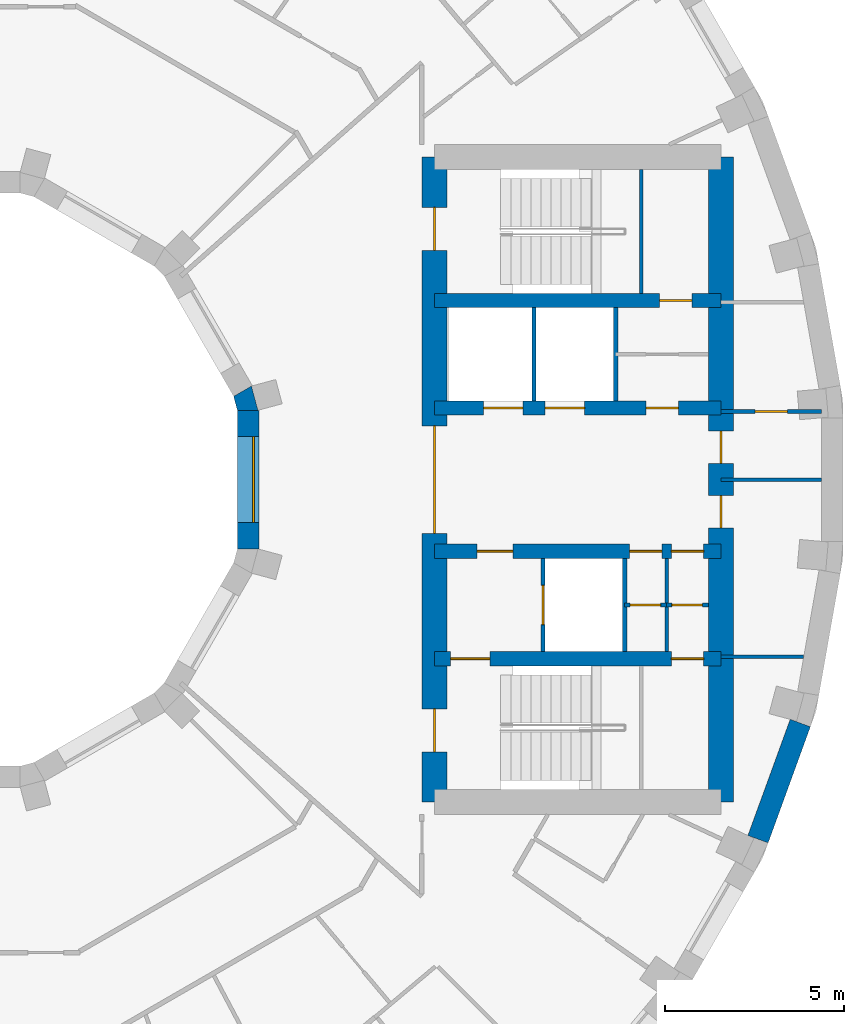
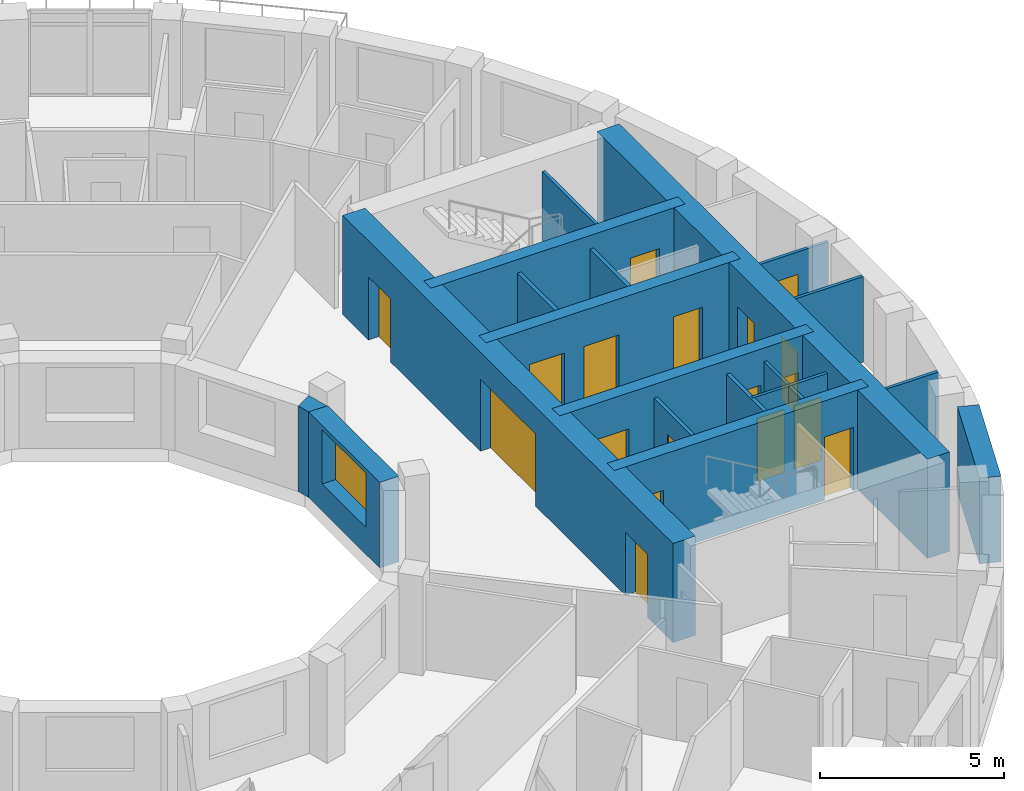
# One storey, part 8 of 13: 20 walls, 18 doors, 1 window, 19 openings.
"""IFC4 building model written with IfcOpenShell, lengths in metres."""

from ifc_helpers import new_model, si_unit, direction, frame, frame_2d, origin, place, context, subcontext, project, spatial, polyline, rectangle, outline, extrude, material, layer, layer_set, type_object, element, fill, save


model = new_model("IFC4")

# Units and contexts
model_context = context("Model", 3, precision=1e-05, world=origin(), true_north=direction((0.0, 1.0)))
body_context = subcontext(model_context, "Body", "Model", "MODEL_VIEW")
ifc_project = project(units=[si_unit("LENGTHUNIT", "METRE"), si_unit("AREAUNIT", "SQUARE_METRE"), si_unit("VOLUMEUNIT", "CUBIC_METRE"), si_unit("PLANEANGLEUNIT", "RADIAN"), si_unit("MASSUNIT", "GRAM", prefix="KILO")], contexts=[model_context])

# Site, building, storey
site_placement = place(None, origin())
site = spatial("IfcSite", under=ifc_project, at=site_placement, CompositionType="ELEMENT")
building_placement = place(site_placement, origin())
building = spatial("IfcBuilding", under=site, at=building_placement, Name="Saqina Gate Tower", CompositionType="ELEMENT")
storey_placement = place(building_placement, frame((0.0, 0.0, 203.699951171875)))
storey = spatial("IfcBuildingStorey", under=building, at=storey_placement, Name="L58", CompositionType="ELEMENT", Elevation=203.699951171875)

# Wall, opening, door
ifc_material_1 = material(Name="Gypsum board on steel studs", Category="steel")
ifc_layer_1 = layer(ifc_material_1, 0.10009765625)
ifc_layer_set_1 = layer_set([ifc_layer_1], Name="CORE PARTITION")
wall_type_1 = type_object("IfcWallType", Name="CORE PARTITION", PredefinedType="PARTITIONING", material=ifc_layer_set_1)
wall_1_placement = place(storey_placement, frame((21.5, 1.89990234375, 0.0), z_axis=(0.0, 0.0, 1.0), x_axis=(1.0, 0.0, 0.0)))
wall_1 = element("IfcWall", 1, at=wall_1_placement, inside=storey, type_object=wall_type_1, Name="L58-CP-E02", PredefinedType="PARTITIONING", context=body_context, shape_type="SweptSolid", body=[
    extrude(rectangle(XDim=2.804931640625, YDim=0.10009765625, at=frame_2d((1.40234375, 0.0))), origin(), (0.0, 0.0, 1.0), 2.85009765625),
])
opening_1_placement = place(wall_1_placement, frame((0.952392578125, 0.0, 0.0)))
opening_1 = element("IfcOpeningElement", 2, at=opening_1_placement, cuts=wall_1, Name="Opening G17-D94", PredefinedType="OPENING", context=body_context, shape_type="SweptSolid", body=[
    extrude(rectangle(XDim=0.89990234375, YDim=2.10009765625, at=frame_2d((0.449951171875, 1.050048828125))), frame((0.0, 0.06201171875, 0.0), z_axis=(0.0, -1.0, 0.0), x_axis=(1.0, 0.0, 0.0)), (0.0, 0.0, 1.0), 0.1240234375),
])
ifc_material_2 = material(Name="Steel-framed fire door leaf, EI 60", Category="steel")
door_type_1 = type_object("IfcDoorType", Name="SERVICE ROOM DOOR 900", OperationType="SINGLE_SWING_LEFT", PredefinedType="DOOR", material=ifc_material_2)
door_1_placement = place(opening_1_placement, origin())
door_1 = element("IfcDoor", 3, at=door_1_placement, inside=storey, type_object=door_type_1, Name="L58-CD-E05", OperationType="SINGLE_SWING_LEFT", OverallHeight=2.10009765625, OverallWidth=0.89990234375, PredefinedType="DOOR", context=body_context, shape_type="SweptSolid", body=[
    extrude(rectangle(XDim=0.89990234375, YDim=2.10009765625, at=frame_2d((0.449951171875, 1.050048828125))), frame((0.0, 0.02490234375, 0.0), z_axis=(0.0, -1.0, 0.0), x_axis=(1.0, 0.0, 0.0)), (0.0, 0.0, 1.0), 0.050048828125),
])
fill(opening_1, door_1)

# Walls
wall_2_placement = place(storey_placement, frame((21.5, -4.949951171875, 0.0), z_axis=(0.0, 0.0, 1.0), x_axis=(1.0, 0.0, 0.0)))
element("IfcWall", 4, at=wall_2_placement, inside=storey, type_object=wall_type_1, Name="L58-CP-E03", PredefinedType="PARTITIONING", context=body_context, shape_type="SweptSolid", body=[
    extrude(rectangle(XDim=2.306884765625, YDim=0.10009765625, at=frame_2d((1.1533203125, 0.0))), origin(), (0.0, 0.0, 1.0), 2.85009765625),
])
wall_3_placement = place(storey_placement, frame((21.5, 0.0, 0.0), z_axis=(0.0, 0.0, 1.0), x_axis=(1.0, 0.0, 0.0)))
element("IfcWall", 5, at=wall_3_placement, inside=storey, type_object=wall_type_1, Name="L58-CP-E04", PredefinedType="PARTITIONING", context=body_context, shape_type="SweptSolid", body=[
    extrude(rectangle(XDim=2.804931640625, YDim=0.10009765625, at=frame_2d((1.40234375, 0.0))), origin(), (0.0, 0.0, 1.0), 2.85009765625),
])
wall_4_placement = place(storey_placement, frame((19.97998046875, -4.800048828125, 0.0), z_axis=(0.0, 0.0, 1.0), x_axis=(0.0, 1.0, 0.0)))
element("IfcWall", 6, at=wall_4_placement, inside=storey, type_object=wall_type_1, Name="L58-CP-E09", PredefinedType="PARTITIONING", context=body_context, shape_type="SweptSolid", body=[
    extrude(rectangle(XDim=2.60009765625, YDim=0.10009765625, at=frame_2d((1.300048828125, 0.0))), origin(), (0.0, 0.0, 1.0), 2.85009765625),
])

# Wall, opening, door
wall_5_placement = place(storey_placement, frame((18.81005859375, -3.5, 0.0), z_axis=(0.0, 0.0, 1.0), x_axis=(1.0, 0.0, 0.0)))
wall_5 = element("IfcWall", 7, at=wall_5_placement, inside=storey, type_object=wall_type_1, Name="L58-CP-E11", PredefinedType="PARTITIONING", context=body_context, shape_type="SweptSolid", body=[
    extrude(rectangle(XDim=1.169921875, YDim=0.10009765625, at=frame_2d((0.5849609375, 0.0))), origin(), (0.0, 0.0, 1.0), 2.85009765625),
])
opening_2_placement = place(wall_5_placement, frame((0.14990234375, 0.0, 0.0)))
opening_2 = element("IfcOpeningElement", 8, at=opening_2_placement, cuts=wall_5, Name="Opening G17-D99", PredefinedType="OPENING", context=body_context, shape_type="SweptSolid", body=[
    extrude(rectangle(XDim=0.85009765625, YDim=2.10009765625, at=frame_2d((0.425048828125, 1.050048828125))), frame((0.0, 0.06201171875, 0.0), z_axis=(0.0, -1.0, 0.0), x_axis=(1.0, 0.0, 0.0)), (0.0, 0.0, 1.0), 0.1240234375),
])
ifc_material_3 = material(Name="Steel-framed fire door leaf, EI 60", Category="steel")
door_type_2 = type_object("IfcDoorType", Name="SERVICE ROOM DOOR 850", OperationType="SINGLE_SWING_LEFT", PredefinedType="DOOR", material=ifc_material_3)
door_2_placement = place(opening_2_placement, frame((0.85009765625, 0.0, 0.0), z_axis=(0.0, 0.0, 1.0), x_axis=(-1.0, 0.0, 0.0)))
door_2 = element("IfcDoor", 9, at=door_2_placement, inside=storey, type_object=door_type_2, Name="L58-CD-E10", OperationType="SINGLE_SWING_RIGHT", OverallHeight=2.10009765625, OverallWidth=0.85009765625, PredefinedType="DOOR", context=body_context, shape_type="SweptSolid", body=[
    extrude(rectangle(XDim=0.85009765625, YDim=2.10009765625, at=frame_2d((0.425048828125, 1.050048828125))), frame((0.0, 0.02490234375, 0.0), z_axis=(0.0, -1.0, 0.0), x_axis=(1.0, 0.0, 0.0)), (0.0, 0.0, 1.0), 0.050048828125),
])
fill(opening_2, door_2)

wall_6_placement = place(storey_placement, frame((19.97998046875, -3.5, 0.0), z_axis=(0.0, 0.0, 1.0), x_axis=(1.0, 0.0, 0.0)))
wall_6 = element("IfcWall", 10, at=wall_6_placement, inside=storey, type_object=wall_type_1, Name="L58-CP-E12", PredefinedType="PARTITIONING", context=body_context, shape_type="SweptSolid", body=[
    extrude(rectangle(XDim=1.169921875, YDim=0.10009765625, at=frame_2d((0.5849609375, 0.0))), origin(), (0.0, 0.0, 1.0), 2.85009765625),
])
opening_3_placement = place(wall_6_placement, frame((0.14990234375, 0.0, 0.0)))
opening_3 = element("IfcOpeningElement", 11, at=opening_3_placement, cuts=wall_6, Name="Opening G17-D100", PredefinedType="OPENING", context=body_context, shape_type="SweptSolid", body=[
    extrude(rectangle(XDim=0.85009765625, YDim=2.10009765625, at=frame_2d((0.425048828125, 1.050048828125))), frame((0.0, 0.06201171875, 0.0), z_axis=(0.0, -1.0, 0.0), x_axis=(1.0, 0.0, 0.0)), (0.0, 0.0, 1.0), 0.1240234375),
])
door_3_placement = place(opening_3_placement, frame((0.85009765625, 0.0, 0.0), z_axis=(0.0, 0.0, 1.0), x_axis=(-1.0, 0.0, 0.0)))
door_3 = element("IfcDoor", 12, at=door_3_placement, inside=storey, type_object=door_type_2, Name="L58-CD-E11", OperationType="SINGLE_SWING_LEFT", OverallHeight=2.10009765625, OverallWidth=0.85009765625, PredefinedType="DOOR", context=body_context, shape_type="SweptSolid", body=[
    extrude(rectangle(XDim=0.85009765625, YDim=2.10009765625, at=frame_2d((0.425048828125, 1.050048828125))), frame((0.0, 0.02490234375, 0.0), z_axis=(0.0, -1.0, 0.0), x_axis=(1.0, 0.0, 0.0)), (0.0, 0.0, 1.0), 0.050048828125),
])
fill(opening_3, door_3)

# Wall
ifc_material_4 = material(Name="Glazed ceramic tile (white)", Category="ceramic")
ifc_layer_2 = layer(ifc_material_4, 0.60009765625)
ifc_layer_set_2 = layer_set([ifc_layer_2], Name="FW-TILE-WH")
wall_type_2 = type_object("IfcWallType", Name="FW-TILE-WH", PredefinedType="SOLIDWALL", material=ifc_layer_set_2)
wall_7_placement = place(storey_placement, frame((22.531005859375, -10.0361328125, 0.0), z_axis=(0.0, 0.0, 1.0), x_axis=(0.342032843455, 0.93968799822, 0.0)))
element("IfcWall", 13, at=wall_7_placement, inside=storey, type_object=wall_type_2, Name="Facade wall L58 facet 34", PredefinedType="SOLIDWALL", context=body_context, shape_type="SweptSolid", body=[
    extrude(rectangle(XDim=3.44970703125, YDim=0.60009765625, at=frame_2d((1.724853515625, 0.0))), origin(), (0.0, 0.0, 1.0), 2.85009765625),
])

# Wall, opening, window
ifc_material_5 = material(Name="Glazed ceramic tile", Category="ceramic")
ifc_layer_3 = layer(ifc_material_5, 0.60009765625)
ifc_layer_set_3 = layer_set([ifc_layer_3], Name="IW-TILE")
wall_type_3 = type_object("IfcWallType", Name="IW-TILE", PredefinedType="SOLIDWALL", material=ifc_layer_set_3)
wall_8_placement = place(storey_placement, frame((8.300048828125, -1.934814453125, 0.0), z_axis=(0.0, 0.0, 1.0), x_axis=(0.0, 1.0, 0.0)))
wall_8 = element("IfcWall", 14, at=wall_8_placement, inside=storey, type_object=wall_type_3, Name="Well wall L58 facet 12", PredefinedType="SOLIDWALL", context=body_context, shape_type="SweptSolid", body=[
    extrude(rectangle(XDim=3.86962890625, YDim=0.60009765625, at=frame_2d((1.934814453125, 0.0))), origin(), (0.0, 0.0, 1.0), 2.85009765625),
])
opening_4_placement = place(wall_8_placement, frame((0.73486328125, 0.0, 0.89990234375)))
opening_4 = element("IfcOpeningElement", 15, at=opening_4_placement, cuts=wall_8, Name="Opening G17-W34", PredefinedType="OPENING", context=body_context, shape_type="SweptSolid", body=[
    extrude(rectangle(XDim=2.39990234375, YDim=1.800048828125, at=frame_2d((1.199951171875, 0.89990234375))), frame((0.0, 0.31201171875, 0.0), z_axis=(0.0, -1.0, 0.0), x_axis=(1.0, 0.0, 0.0)), (0.0, 0.0, 1.0), 0.6240234375),
])
ifc_material_6 = material(Name="Aluminium glazing", Category="aluminium")
window_type = type_object("IfcWindowType", Name="WN-W", PartitioningType="SINGLE_PANEL", PredefinedType="WINDOW", material=ifc_material_6)
window_placement = place(opening_4_placement, origin())
window = element("IfcWindow", 16, at=window_placement, inside=storey, type_object=window_type, Name="Well window L58 facet 12", OverallHeight=1.800048828125, OverallWidth=2.39990234375, PartitioningType="SINGLE_PANEL", PredefinedType="WINDOW", context=body_context, shape_type="SweptSolid", body=[
    extrude(rectangle(XDim=2.39990234375, YDim=1.800048828125, at=frame_2d((1.199951171875, 0.89990234375))), frame((0.0, -0.119873046875, 0.0), z_axis=(0.0, -1.0, 0.0), x_axis=(1.0, 0.0, 0.0)), (0.0, 0.0, 1.0), 0.06005859375),
])
fill(opening_4, window)

# Walls
ifc_material_7 = material(Name="Autoclaved aerated concrete block", Category="concrete")
ifc_layer_4 = layer(ifc_material_7, 0.1201171875)
ifc_layer_set_4 = layer_set([ifc_layer_4], Name="SHAFT PARTITION")
wall_type_4 = type_object("IfcWallType", Name="SHAFT PARTITION", PredefinedType="PARTITIONING", material=ifc_layer_set_4)
for number, where, z_axis, x_axis, name in (
    (17, (16.280029296875, 2.199951171875, 0.0), (0.0, 0.0, 1.0), (0.0, 1.0, 0.0), "L58-CP-E05"),
    (18, (18.56005859375, 2.199951171875, 0.0), (0.0, 0.0, 1.0), (0.0, 1.0, 0.0), "L58-CP-E06"),
):
    element("IfcWall", number, at=place(storey_placement, frame(where, z_axis=z_axis, x_axis=x_axis)), inside=storey, type_object=wall_type_4, Name=name, PredefinedType="PARTITIONING", context=body_context, shape_type="SweptSolid", body=[
        extrude(rectangle(XDim=2.60009765625, YDim=0.1201171875, at=frame_2d((1.300048828125, 0.0))), origin(), (0.0, 0.0, 1.0), 2.85009765625),
    ])

# Wall, opening, door
wall_9_placement = place(storey_placement, frame((16.530029296875, -4.800048828125, 0.0), z_axis=(0.0, 0.0, 1.0), x_axis=(0.0, 1.0, 0.0)))
wall_9 = element("IfcWall", 19, at=wall_9_placement, inside=storey, type_object=wall_type_4, Name="L58-CP-E07", PredefinedType="PARTITIONING", context=body_context, shape_type="SweptSolid", body=[
    extrude(rectangle(XDim=2.60009765625, YDim=0.1201171875, at=frame_2d((1.300048828125, 0.0))), origin(), (0.0, 0.0, 1.0), 2.85009765625),
])
opening_5_placement = place(wall_9_placement, frame((0.75, 0.0, 0.0)))
opening_5 = element("IfcOpeningElement", 20, at=opening_5_placement, cuts=wall_9, Name="Opening G17-LD3", PredefinedType="OPENING", context=body_context, shape_type="SweptSolid", body=[
    extrude(rectangle(XDim=1.10009765625, YDim=2.10009765625, at=frame_2d((0.550048828125, 1.050048828125))), frame((0.0, 0.072021484375, 0.0), z_axis=(0.0, -1.0, 0.0), x_axis=(1.0, 0.0, 0.0)), (0.0, 0.0, 1.0), 0.14404296875),
])
ifc_material_8 = material(Name="Stainless steel", Category="steel")
door_type_3 = type_object("IfcDoorType", Name="LANDING DOOR", OperationType="DOUBLE_DOOR_SLIDING", PredefinedType="DOOR", material=ifc_material_8)
door_4_placement = place(opening_5_placement, origin())
door_4 = element("IfcDoor", 21, at=door_4_placement, inside=storey, type_object=door_type_3, Name="LANDING DOOR FF1", OperationType="DOUBLE_DOOR_SLIDING", OverallHeight=2.10009765625, OverallWidth=1.10009765625, PredefinedType="DOOR", context=body_context, shape_type="SweptSolid", body=[
    extrude(rectangle(XDim=1.10009765625, YDim=2.10009765625, at=frame_2d((0.550048828125, 1.050048828125))), frame((0.0, 0.02490234375, 0.0), z_axis=(0.0, -1.0, 0.0), x_axis=(1.0, 0.0, 0.0)), (0.0, 0.0, 1.0), 0.050048828125),
])
fill(opening_5, door_4)

# Walls
wall_10_placement = place(storey_placement, frame((18.81005859375, -4.800048828125, 0.0), z_axis=(0.0, 0.0, 1.0), x_axis=(0.0, 1.0, 0.0)))
element("IfcWall", 22, at=wall_10_placement, inside=storey, type_object=wall_type_4, Name="L58-CP-E08", PredefinedType="PARTITIONING", context=body_context, shape_type="SweptSolid", body=[
    extrude(rectangle(XDim=2.60009765625, YDim=0.1201171875, at=frame_2d((1.300048828125, 0.0))), origin(), (0.0, 0.0, 1.0), 2.85009765625),
])
ifc_material_9 = material(Name="Autoclaved aerated concrete block", Category="concrete")
ifc_layer_5 = layer(ifc_material_9, 0.10009765625)
ifc_layer_set_5 = layer_set([ifc_layer_5], Name="STAIR ENCLOSURE WALL")
wall_type_5 = type_object("IfcWallType", Name="STAIR ENCLOSURE WALL", PredefinedType="PARTITIONING", material=ifc_layer_set_5)
wall_11_placement = place(storey_placement, frame((19.27001953125, 5.199951171875, 0.0), z_axis=(0.0, 0.0, 1.0), x_axis=(0.0, 1.0, 0.0)))
element("IfcWall", 23, at=wall_11_placement, inside=storey, type_object=wall_type_5, Name="L58-CP-E13", PredefinedType="PARTITIONING", context=body_context, shape_type="SweptSolid", body=[
    extrude(rectangle(XDim=3.449951171875, YDim=0.10009765625, at=frame_2d((1.72509765625, 0.0))), origin(), (0.0, 0.0, 1.0), 2.85009765625),
])

# Wall, opening, door
ifc_material_10 = material(Name="Concrete C60/75", Category="concrete")
ifc_layer_6 = layer(ifc_material_10, 0.39990234375)
ifc_layer_set_6 = layer_set([ifc_layer_6], Name="Concrete C60/75")
wall_type_6 = type_object("IfcWallType", Name="STR-CORE WALL-C-I", PredefinedType="SHEAR", material=ifc_layer_set_6)
wall_12_placement = place(storey_placement, frame((13.5, 5.0, 0.0), z_axis=(0.0, 0.0, 1.0), x_axis=(1.0, 0.0, 0.0)))
wall_12 = element("IfcWall", 24, at=wall_12_placement, inside=storey, type_object=wall_type_6, Name="CORE WALL L58 E-X1", PredefinedType="SHEAR", context=body_context, shape_type="SweptSolid", body=[
    extrude(rectangle(XDim=8.0, YDim=0.39990234375, at=frame_2d((4.0, 0.0))), origin(), (0.0, 0.0, 1.0), 3.300048828125),
])
opening_6_placement = place(wall_12_placement, frame((6.284912109375, 0.0, 0.0)))
opening_6 = element("IfcOpeningElement", 25, at=opening_6_placement, cuts=wall_12, Name="Opening G17-D98", PredefinedType="OPENING", context=body_context, shape_type="SweptSolid", body=[
    extrude(rectangle(XDim=0.89990234375, YDim=2.10009765625, at=frame_2d((0.449951171875, 1.050048828125))), frame((0.0, 0.2119140625, 0.0), z_axis=(0.0, -1.0, 0.0), x_axis=(1.0, 0.0, 0.0)), (0.0, 0.0, 1.0), 0.423828125),
])
door_5_placement = place(opening_6_placement, origin())
door_5 = element("IfcDoor", 26, at=door_5_placement, inside=storey, type_object=door_type_1, Name="L58-CD-E09", OperationType="SINGLE_SWING_RIGHT", OverallHeight=2.10009765625, OverallWidth=0.89990234375, PredefinedType="DOOR", context=body_context, shape_type="SweptSolid", body=[
    extrude(rectangle(XDim=0.89990234375, YDim=2.10009765625, at=frame_2d((0.449951171875, 1.050048828125))), frame((0.0, 0.02490234375, 0.0), z_axis=(0.0, -1.0, 0.0), x_axis=(1.0, 0.0, 0.0)), (0.0, 0.0, 1.0), 0.050048828125),
])
fill(opening_6, door_5)

# Wall, openings, doors
wall_13_placement = place(storey_placement, frame((13.5, -5.0, 0.0), z_axis=(0.0, 0.0, 1.0), x_axis=(1.0, 0.0, 0.0)))
wall_13 = element("IfcWall", 27, at=wall_13_placement, inside=storey, type_object=wall_type_6, Name="CORE WALL L58 E-X2", PredefinedType="SHEAR", context=body_context, shape_type="SweptSolid", body=[
    extrude(rectangle(XDim=8.0, YDim=0.39990234375, at=frame_2d((4.0, 0.0))), origin(), (0.0, 0.0, 1.0), 3.300048828125),
])
opening_7_placement = place(wall_13_placement, frame((6.614990234375, 0.0, 0.0)))
opening_7 = element("IfcOpeningElement", 28, at=opening_7_placement, cuts=wall_13, Name="Opening G17-D101", PredefinedType="OPENING", context=body_context, shape_type="SweptSolid", body=[
    extrude(rectangle(XDim=0.89990234375, YDim=2.10009765625, at=frame_2d((0.449951171875, 1.050048828125))), frame((0.0, 0.2119140625, 0.0), z_axis=(0.0, -1.0, 0.0), x_axis=(1.0, 0.0, 0.0)), (0.0, 0.0, 1.0), 0.423828125),
])
opening_8_placement = place(wall_13_placement, frame((0.449951171875, 0.0, 0.0)))
opening_8 = element("IfcOpeningElement", 29, at=opening_8_placement, cuts=wall_13, Name="Opening G17-D102", PredefinedType="OPENING", context=body_context, shape_type="SweptSolid", body=[
    extrude(rectangle(XDim=1.10009765625, YDim=2.10009765625, at=frame_2d((0.550048828125, 1.050048828125))), frame((0.0, 0.2119140625, 0.0), z_axis=(0.0, -1.0, 0.0), x_axis=(1.0, 0.0, 0.0)), (0.0, 0.0, 1.0), 0.423828125),
])
ifc_material_11 = material(Name="Steel", Category="steel")
door_type_4 = type_object("IfcDoorType", Name="FIRE LOBBY DOOR EI 60 WIDE", OperationType="SINGLE_SWING_LEFT", PredefinedType="DOOR", material=ifc_material_11)
door_6_placement = place(opening_8_placement, frame((1.10009765625, 0.0, 0.0), z_axis=(0.0, 0.0, 1.0), x_axis=(-1.0, 0.0, 0.0)))
door_6 = element("IfcDoor", 30, at=door_6_placement, inside=storey, type_object=door_type_4, Name="L58-CD-E13", OperationType="SINGLE_SWING_RIGHT", OverallHeight=2.10009765625, OverallWidth=1.10009765625, PredefinedType="DOOR", context=body_context, shape_type="SweptSolid", body=[
    extrude(rectangle(XDim=1.10009765625, YDim=2.10009765625, at=frame_2d((0.550048828125, 1.050048828125))), frame((0.0, 0.02490234375, 0.0), z_axis=(0.0, -1.0, 0.0), x_axis=(1.0, 0.0, 0.0)), (0.0, 0.0, 1.0), 0.050048828125),
])
fill(opening_8, door_6)
door_7_placement = place(opening_7_placement, frame((0.89990234375, 0.0, 0.0), z_axis=(0.0, 0.0, 1.0), x_axis=(-1.0, 0.0, 0.0)))
door_7 = element("IfcDoor", 31, at=door_7_placement, inside=storey, type_object=door_type_1, Name="L58-CD-E12", OperationType="SINGLE_SWING_LEFT", OverallHeight=2.10009765625, OverallWidth=0.89990234375, PredefinedType="DOOR", context=body_context, shape_type="SweptSolid", body=[
    extrude(rectangle(XDim=0.89990234375, YDim=2.10009765625, at=frame_2d((0.449951171875, 1.050048828125))), frame((0.0, 0.02490234375, 0.0), z_axis=(0.0, -1.0, 0.0), x_axis=(1.0, 0.0, 0.0)), (0.0, 0.0, 1.0), 0.050048828125),
])
fill(opening_7, door_7)

wall_14_placement = place(storey_placement, frame((13.5, 2.0, 0.0), z_axis=(0.0, 0.0, 1.0), x_axis=(1.0, 0.0, 0.0)))
wall_14 = element("IfcWall", 32, at=wall_14_placement, inside=storey, type_object=wall_type_6, Name="CORE WALL L58 E-L1", PredefinedType="SHEAR", context=body_context, shape_type="SweptSolid", body=[
    extrude(rectangle(XDim=8.0, YDim=0.39990234375, at=frame_2d((4.0, 0.0))), origin(), (0.0, 0.0, 1.0), 3.300048828125),
])
opening_9_placement = place(wall_14_placement, frame((1.3701171875, 0.0, 0.0)))
opening_9 = element("IfcOpeningElement", 33, at=opening_9_placement, cuts=wall_14, Name="Opening G17-LD1", PredefinedType="OPENING", context=body_context, shape_type="SweptSolid", body=[
    extrude(rectangle(XDim=1.10009765625, YDim=2.10009765625, at=frame_2d((0.550048828125, 1.050048828125))), frame((0.0, 0.2119140625, 0.0), z_axis=(0.0, -1.0, 0.0), x_axis=(1.0, 0.0, 0.0)), (0.0, 0.0, 1.0), 0.423828125),
])
opening_10_placement = place(wall_14_placement, frame((3.090087890625, 0.0, 0.0)))
opening_10 = element("IfcOpeningElement", 34, at=opening_10_placement, cuts=wall_14, Name="Opening G17-LD2", PredefinedType="OPENING", context=body_context, shape_type="SweptSolid", body=[
    extrude(rectangle(XDim=1.10009765625, YDim=2.10009765625, at=frame_2d((0.550048828125, 1.050048828125))), frame((0.0, 0.2119140625, 0.0), z_axis=(0.0, -1.0, 0.0), x_axis=(1.0, 0.0, 0.0)), (0.0, 0.0, 1.0), 0.423828125),
])
opening_11_placement = place(wall_14_placement, frame((5.905029296875, 0.0, 0.0)))
opening_11 = element("IfcOpeningElement", 35, at=opening_11_placement, cuts=wall_14, Name="Opening G17-D90", PredefinedType="OPENING", context=body_context, shape_type="SweptSolid", body=[
    extrude(rectangle(XDim=0.89990234375, YDim=2.10009765625, at=frame_2d((0.449951171875, 1.050048828125))), frame((0.0, 0.2119140625, 0.0), z_axis=(0.0, -1.0, 0.0), x_axis=(1.0, 0.0, 0.0)), (0.0, 0.0, 1.0), 0.423828125),
])
door_8_placement = place(opening_9_placement, origin())
door_8 = element("IfcDoor", 36, at=door_8_placement, inside=storey, type_object=door_type_3, Name="LANDING DOOR HR1", OperationType="DOUBLE_DOOR_SLIDING", OverallHeight=2.10009765625, OverallWidth=1.10009765625, PredefinedType="DOOR", context=body_context, shape_type="SweptSolid", body=[
    extrude(rectangle(XDim=1.10009765625, YDim=2.10009765625, at=frame_2d((0.550048828125, 1.050048828125))), frame((0.0, 0.02490234375, 0.0), z_axis=(0.0, -1.0, 0.0), x_axis=(1.0, 0.0, 0.0)), (0.0, 0.0, 1.0), 0.050048828125),
])
fill(opening_9, door_8)
door_9_placement = place(opening_10_placement, origin())
door_9 = element("IfcDoor", 37, at=door_9_placement, inside=storey, type_object=door_type_3, Name="LANDING DOOR HR2", OperationType="DOUBLE_DOOR_SLIDING", OverallHeight=2.10009765625, OverallWidth=1.10009765625, PredefinedType="DOOR", context=body_context, shape_type="SweptSolid", body=[
    extrude(rectangle(XDim=1.10009765625, YDim=2.10009765625, at=frame_2d((0.550048828125, 1.050048828125))), frame((0.0, 0.02490234375, 0.0), z_axis=(0.0, -1.0, 0.0), x_axis=(1.0, 0.0, 0.0)), (0.0, 0.0, 1.0), 0.050048828125),
])
fill(opening_10, door_9)
door_10_placement = place(opening_11_placement, origin())
door_10 = element("IfcDoor", 38, at=door_10_placement, inside=storey, type_object=door_type_1, Name="L58-CD-E01", OperationType="SINGLE_SWING_RIGHT", OverallHeight=2.10009765625, OverallWidth=0.89990234375, PredefinedType="DOOR", context=body_context, shape_type="SweptSolid", body=[
    extrude(rectangle(XDim=0.89990234375, YDim=2.10009765625, at=frame_2d((0.449951171875, 1.050048828125))), frame((0.0, 0.02490234375, 0.0), z_axis=(0.0, -1.0, 0.0), x_axis=(1.0, 0.0, 0.0)), (0.0, 0.0, 1.0), 0.050048828125),
])
fill(opening_11, door_10)

wall_15_placement = place(storey_placement, frame((13.5, -2.0, 0.0), z_axis=(0.0, 0.0, 1.0), x_axis=(1.0, 0.0, 0.0)))
wall_15 = element("IfcWall", 39, at=wall_15_placement, inside=storey, type_object=wall_type_6, Name="CORE WALL L58 E-L2", PredefinedType="SHEAR", context=body_context, shape_type="SweptSolid", body=[
    extrude(rectangle(XDim=8.0, YDim=0.39990234375, at=frame_2d((4.0, 0.0))), origin(), (0.0, 0.0, 1.0), 3.300048828125),
])
opening_12_placement = place(wall_15_placement, frame((1.18994140625, 0.0, 0.0)))
opening_12 = element("IfcOpeningElement", 40, at=opening_12_placement, cuts=wall_15, Name="Opening G17-D91", PredefinedType="OPENING", context=body_context, shape_type="SweptSolid", body=[
    extrude(rectangle(XDim=1.0, YDim=2.10009765625, at=frame_2d((0.5, 1.050048828125))), frame((0.0, 0.2119140625, 0.0), z_axis=(0.0, -1.0, 0.0), x_axis=(1.0, 0.0, 0.0)), (0.0, 0.0, 1.0), 0.423828125),
])
opening_13_placement = place(wall_15_placement, frame((5.445068359375, 0.0, 0.0)))
opening_13 = element("IfcOpeningElement", 41, at=opening_13_placement, cuts=wall_15, Name="Opening G17-D92", PredefinedType="OPENING", context=body_context, shape_type="SweptSolid", body=[
    extrude(rectangle(XDim=0.89990234375, YDim=2.10009765625, at=frame_2d((0.449951171875, 1.050048828125))), frame((0.0, 0.2119140625, 0.0), z_axis=(0.0, -1.0, 0.0), x_axis=(1.0, 0.0, 0.0)), (0.0, 0.0, 1.0), 0.423828125),
])
opening_14_placement = place(wall_15_placement, frame((6.614990234375, 0.0, 0.0)))
opening_14 = element("IfcOpeningElement", 42, at=opening_14_placement, cuts=wall_15, Name="Opening G17-D93", PredefinedType="OPENING", context=body_context, shape_type="SweptSolid", body=[
    extrude(rectangle(XDim=0.89990234375, YDim=2.10009765625, at=frame_2d((0.449951171875, 1.050048828125))), frame((0.0, 0.2119140625, 0.0), z_axis=(0.0, -1.0, 0.0), x_axis=(1.0, 0.0, 0.0)), (0.0, 0.0, 1.0), 0.423828125),
])
ifc_material_12 = material(Name="Steel", Category="steel")
door_type_5 = type_object("IfcDoorType", Name="FIRE LOBBY DOOR EI 60", OperationType="SINGLE_SWING_LEFT", PredefinedType="DOOR", material=ifc_material_12)
door_11_placement = place(opening_12_placement, origin())
door_11 = element("IfcDoor", 43, at=door_11_placement, inside=storey, type_object=door_type_5, Name="L58-CD-E02", OperationType="SINGLE_SWING_LEFT", OverallHeight=2.10009765625, OverallWidth=1.0, PredefinedType="DOOR", context=body_context, shape_type="SweptSolid", body=[
    extrude(rectangle(XDim=1.0, YDim=2.10009765625, at=frame_2d((0.5, 1.050048828125))), frame((0.0, 0.02490234375, 0.0), z_axis=(0.0, -1.0, 0.0), x_axis=(1.0, 0.0, 0.0)), (0.0, 0.0, 1.0), 0.050048828125),
])
fill(opening_12, door_11)
door_12_placement = place(opening_13_placement, frame((0.89990234375, 0.0, 0.0), z_axis=(0.0, 0.0, 1.0), x_axis=(-1.0, 0.0, 0.0)))
door_12 = element("IfcDoor", 44, at=door_12_placement, inside=storey, type_object=door_type_1, Name="L58-CD-E03", OperationType="SINGLE_SWING_RIGHT", OverallHeight=2.10009765625, OverallWidth=0.89990234375, PredefinedType="DOOR", context=body_context, shape_type="SweptSolid", body=[
    extrude(rectangle(XDim=0.89990234375, YDim=2.10009765625, at=frame_2d((0.449951171875, 1.050048828125))), frame((0.0, 0.02490234375, 0.0), z_axis=(0.0, -1.0, 0.0), x_axis=(1.0, 0.0, 0.0)), (0.0, 0.0, 1.0), 0.050048828125),
])
fill(opening_13, door_12)
door_13_placement = place(opening_14_placement, frame((0.89990234375, 0.0, 0.0), z_axis=(0.0, 0.0, 1.0), x_axis=(-1.0, 0.0, 0.0)))
door_13 = element("IfcDoor", 45, at=door_13_placement, inside=storey, type_object=door_type_1, Name="L58-CD-E04", OperationType="SINGLE_SWING_LEFT", OverallHeight=2.10009765625, OverallWidth=0.89990234375, PredefinedType="DOOR", context=body_context, shape_type="SweptSolid", body=[
    extrude(rectangle(XDim=0.89990234375, YDim=2.10009765625, at=frame_2d((0.449951171875, 1.050048828125))), frame((0.0, 0.02490234375, 0.0), z_axis=(0.0, -1.0, 0.0), x_axis=(1.0, 0.0, 0.0)), (0.0, 0.0, 1.0), 0.050048828125),
])
fill(opening_14, door_13)

ifc_material_13 = material(Name="Concrete C60/75", Category="concrete")
ifc_layer_7 = layer(ifc_material_13, 0.699951171875)
ifc_layer_set_7 = layer_set([ifc_layer_7], Name="Concrete C60/75")
wall_type_7 = type_object("IfcWallType", Name="STR-CORE WALL-C-O", PredefinedType="SHEAR", material=ifc_layer_set_7)
wall_16_placement = place(storey_placement, frame((13.5, -9.0, 0.0), z_axis=(0.0, 0.0, 1.0), x_axis=(0.0, 1.0, 0.0)))
wall_16 = element("IfcWall", 46, at=wall_16_placement, inside=storey, type_object=wall_type_7, Name="CORE WALL L58 E-W1", PredefinedType="SHEAR", context=body_context, shape_type="SweptSolid", body=[
    extrude(rectangle(XDim=18.0, YDim=0.699951171875, at=frame_2d((9.0, 0.0))), origin(), (0.0, 0.0, 1.0), 3.300048828125),
])
opening_15_placement = place(wall_16_placement, frame((15.39990234375, 0.0, 0.0)))
opening_15 = element("IfcOpeningElement", 47, at=opening_15_placement, cuts=wall_16, Name="Opening G17-D103", PredefinedType="OPENING", context=body_context, shape_type="SweptSolid", body=[
    extrude(rectangle(XDim=1.199951171875, YDim=2.10009765625, at=frame_2d((0.60009765625, 1.050048828125))), frame((0.0, 0.362060546875, 0.0), z_axis=(0.0, -1.0, 0.0), x_axis=(1.0, 0.0, 0.0)), (0.0, 0.0, 1.0), 0.723876953125),
])
opening_16_placement = place(wall_16_placement, frame((1.39990234375, 0.0, 0.0)))
opening_16 = element("IfcOpeningElement", 48, at=opening_16_placement, cuts=wall_16, Name="Opening G17-D104", PredefinedType="OPENING", context=body_context, shape_type="SweptSolid", body=[
    extrude(rectangle(XDim=1.199951171875, YDim=2.10009765625, at=frame_2d((0.60009765625, 1.050048828125))), frame((0.0, 0.362060546875, 0.0), z_axis=(0.0, -1.0, 0.0), x_axis=(1.0, 0.0, 0.0)), (0.0, 0.0, 1.0), 0.723876953125),
])
opening_17_placement = place(wall_16_placement, frame((7.5, 0.0, 0.0)))
opening_17 = element("IfcOpeningElement", 49, at=opening_17_placement, cuts=wall_16, Name="Opening G17-D105", PredefinedType="OPENING", context=body_context, shape_type="SweptSolid", body=[
    extrude(rectangle(XDim=3.0, YDim=2.39990234375, at=frame_2d((1.5, 1.199951171875))), frame((0.0, 0.362060546875, 0.0), z_axis=(0.0, -1.0, 0.0), x_axis=(1.0, 0.0, 0.0)), (0.0, 0.0, 1.0), 0.723876953125),
])
ifc_material_14 = material(Name="Steel", Category="steel")
door_type_6 = type_object("IfcDoorType", Name="FIRE DOOR EI 60", OperationType="SINGLE_SWING_LEFT", PredefinedType="DOOR", material=ifc_material_14)
door_14_placement = place(opening_15_placement, frame((1.199951171875, 0.0, 0.0), z_axis=(0.0, 0.0, 1.0), x_axis=(-1.0, 0.0, 0.0)))
door_14 = element("IfcDoor", 50, at=door_14_placement, inside=storey, type_object=door_type_6, Name="L58-CD-E14", OperationType="SINGLE_SWING_LEFT", OverallHeight=2.10009765625, OverallWidth=1.199951171875, PredefinedType="DOOR", context=body_context, shape_type="SweptSolid", body=[
    extrude(rectangle(XDim=1.199951171875, YDim=2.10009765625, at=frame_2d((0.60009765625, 1.050048828125))), frame((0.0, 0.02490234375, 0.0), z_axis=(0.0, -1.0, 0.0), x_axis=(1.0, 0.0, 0.0)), (0.0, 0.0, 1.0), 0.050048828125),
])
fill(opening_15, door_14)
door_15_placement = place(opening_16_placement, frame((1.199951171875, 0.0, 0.0), z_axis=(0.0, 0.0, 1.0), x_axis=(-1.0, 0.0, 0.0)))
door_15 = element("IfcDoor", 51, at=door_15_placement, inside=storey, type_object=door_type_6, Name="L58-CD-E15", OperationType="SINGLE_SWING_RIGHT", OverallHeight=2.10009765625, OverallWidth=1.199951171875, PredefinedType="DOOR", context=body_context, shape_type="SweptSolid", body=[
    extrude(rectangle(XDim=1.199951171875, YDim=2.10009765625, at=frame_2d((0.60009765625, 1.050048828125))), frame((0.0, 0.02490234375, 0.0), z_axis=(0.0, -1.0, 0.0), x_axis=(1.0, 0.0, 0.0)), (0.0, 0.0, 1.0), 0.050048828125),
])
fill(opening_16, door_15)
ifc_material_15 = material(Name="Steel and fire-resisting glass", Category="steel")
door_type_7 = type_object("IfcDoorType", Name="LOBBY SCREEN DOOR", OperationType="DOUBLE_DOOR_SLIDING", PredefinedType="DOOR", material=ifc_material_15)
door_16_placement = place(opening_17_placement, origin())
door_16 = element("IfcDoor", 52, at=door_16_placement, inside=storey, type_object=door_type_7, Name="L58-CD-E16", OperationType="DOUBLE_DOOR_SLIDING", OverallHeight=2.39990234375, OverallWidth=3.0, PredefinedType="DOOR", context=body_context, shape_type="SweptSolid", body=[
    extrude(rectangle(XDim=3.0, YDim=2.39990234375, at=frame_2d((1.5, 1.199951171875))), frame((0.0, 0.02490234375, 0.0), z_axis=(0.0, -1.0, 0.0), x_axis=(1.0, 0.0, 0.0)), (0.0, 0.0, 1.0), 0.050048828125),
])
fill(opening_17, door_16)

wall_17_placement = place(storey_placement, frame((21.5, -9.0, 0.0), z_axis=(0.0, 0.0, 1.0), x_axis=(0.0, 1.0, 0.0)))
wall_17 = element("IfcWall", 53, at=wall_17_placement, inside=storey, type_object=wall_type_7, Name="CORE WALL L58 E-W2", PredefinedType="SHEAR", context=body_context, shape_type="SweptSolid", body=[
    extrude(rectangle(XDim=18.0, YDim=0.699951171875, at=frame_2d((9.0, 0.0))), origin(), (0.0, 0.0, 1.0), 3.300048828125),
])
opening_18_placement = place(wall_17_placement, frame((9.449951171875, 0.0, 0.0)))
opening_18 = element("IfcOpeningElement", 54, at=opening_18_placement, cuts=wall_17, Name="Opening G17-D95", PredefinedType="OPENING", context=body_context, shape_type="SweptSolid", body=[
    extrude(rectangle(XDim=0.89990234375, YDim=2.10009765625, at=frame_2d((0.449951171875, 1.050048828125))), frame((0.0, 0.362060546875, 0.0), z_axis=(0.0, -1.0, 0.0), x_axis=(1.0, 0.0, 0.0)), (0.0, 0.0, 1.0), 0.723876953125),
])
opening_19_placement = place(wall_17_placement, frame((7.64990234375, 0.0, 0.0)))
opening_19 = element("IfcOpeningElement", 55, at=opening_19_placement, cuts=wall_17, Name="Opening G17-D96", PredefinedType="OPENING", context=body_context, shape_type="SweptSolid", body=[
    extrude(rectangle(XDim=0.89990234375, YDim=2.10009765625, at=frame_2d((0.449951171875, 1.050048828125))), frame((0.0, 0.362060546875, 0.0), z_axis=(0.0, -1.0, 0.0), x_axis=(1.0, 0.0, 0.0)), (0.0, 0.0, 1.0), 0.723876953125),
])
door_17_placement = place(opening_18_placement, frame((0.89990234375, 0.0, 0.0), z_axis=(0.0, 0.0, 1.0), x_axis=(-1.0, 0.0, 0.0)))
door_17 = element("IfcDoor", 56, at=door_17_placement, inside=storey, type_object=door_type_1, Name="L58-CD-E06", OperationType="SINGLE_SWING_LEFT", OverallHeight=2.10009765625, OverallWidth=0.89990234375, PredefinedType="DOOR", context=body_context, shape_type="SweptSolid", body=[
    extrude(rectangle(XDim=0.89990234375, YDim=2.10009765625, at=frame_2d((0.449951171875, 1.050048828125))), frame((0.0, 0.02490234375, 0.0), z_axis=(0.0, -1.0, 0.0), x_axis=(1.0, 0.0, 0.0)), (0.0, 0.0, 1.0), 0.050048828125),
])
fill(opening_18, door_17)
door_18_placement = place(opening_19_placement, frame((0.89990234375, 0.0, 0.0), z_axis=(0.0, 0.0, 1.0), x_axis=(-1.0, 0.0, 0.0)))
door_18 = element("IfcDoor", 57, at=door_18_placement, inside=storey, type_object=door_type_1, Name="L58-CD-E07", OperationType="SINGLE_SWING_LEFT", OverallHeight=2.10009765625, OverallWidth=0.89990234375, PredefinedType="DOOR", context=body_context, shape_type="SweptSolid", body=[
    extrude(rectangle(XDim=0.89990234375, YDim=2.10009765625, at=frame_2d((0.449951171875, 1.050048828125))), frame((0.0, 0.02490234375, 0.0), z_axis=(0.0, -1.0, 0.0), x_axis=(1.0, 0.0, 0.0)), (0.0, 0.0, 1.0), 0.050048828125),
])
fill(opening_19, door_18)

# Wall
ifc_material_16 = material(Name="Glazed ceramic tile", Category="ceramic")
wall_type_8 = type_object("IfcWallType", Name="TILE PIER COPING", PredefinedType="SOLIDWALL", material=ifc_material_16)
wall_18_placement = place(storey_placement, origin())
element("IfcWall", 58, at=wall_18_placement, inside=storey, type_object=wall_type_8, Name="Well pier cap L58 column 1", PredefinedType="SOLIDWALL", context=body_context, shape_type="SweptSolid", body=[
    extrude(outline(polyline([(8.392333984375, 2.611083984375), (7.895751953125, 2.32421875), (8.0, 1.934814453125), (8.573486328125, 1.934814453125), (8.392333984375, 2.611083984375)])), origin(), (0.0, 0.0, 1.0), 2.85009765625),
])

save(model, "model.ifc")
